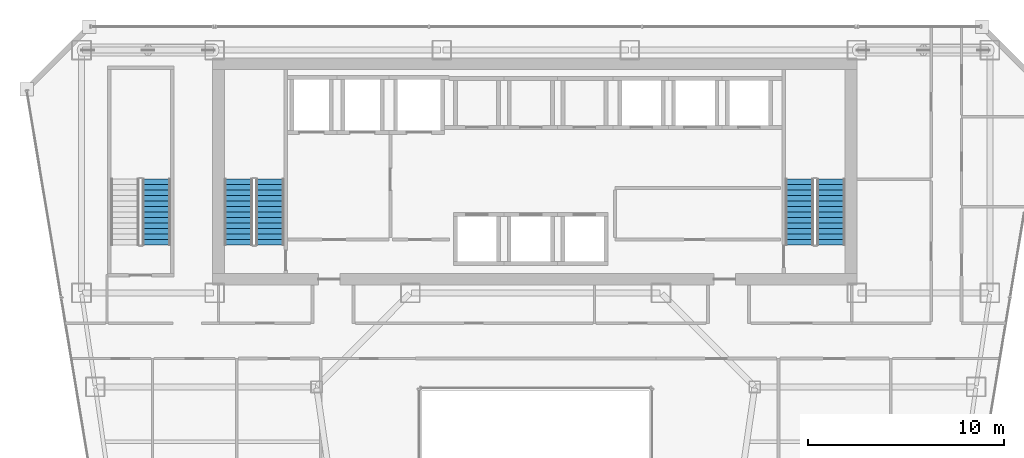
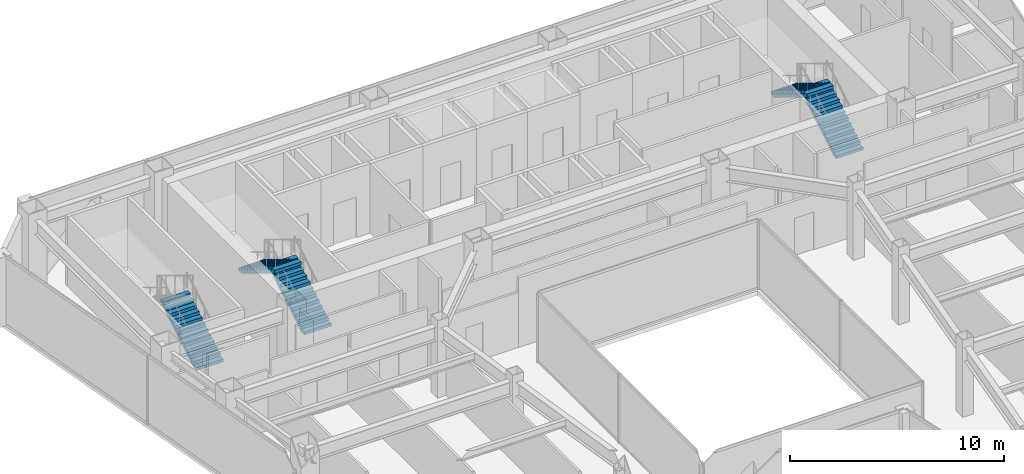
# One storey, part 33 of 36: 5 stair flights, 3 elements without a shape of their own.
"""IFC4 building model written with IfcOpenShell, lengths in metres."""

from ifc_helpers import new_model, si_unit, direction, frame, origin, place, context, subcontext, project, spatial, polyline, outline, extrude, material, type_object, element, aggregate, save


model = new_model("IFC4")

# Units and contexts
model_context = context("Model", 3, precision=1e-05, world=origin(), true_north=direction((0.0, 1.0)))
body_context = subcontext(model_context, "Body", "Model", "MODEL_VIEW")
ifc_project = project(units=[si_unit("LENGTHUNIT", "METRE"), si_unit("AREAUNIT", "SQUARE_METRE"), si_unit("VOLUMEUNIT", "CUBIC_METRE"), si_unit("PLANEANGLEUNIT", "RADIAN"), si_unit("MASSUNIT", "GRAM", prefix="KILO")], contexts=[model_context])

# Site, building, storey
site_placement = place(None, origin())
site = spatial("IfcSite", under=ifc_project, at=site_placement, CompositionType="ELEMENT")
building_placement = place(site_placement, origin())
building = spatial("IfcBuilding", under=site, at=building_placement, Name="Saevonmaru Cultural Tower", CompositionType="ELEMENT")
storey_placement = place(building_placement, frame((0.0, 0.0, 119.199951171875)))
storey = spatial("IfcBuildingStorey", under=building, at=storey_placement, Name="L25", CompositionType="ELEMENT", Elevation=119.199951171875)

# Stair, stair flights
ifc_material_1 = material(Name="Concrete C40/50", Category="concrete")
stair_type = type_object("IfcStairType", Name="STR-DOGLEG-RC", PredefinedType="HALF_TURN_STAIR", material=ifc_material_1)
stair_1_placement = place(storey_placement, origin())
stair_1 = element("IfcStair", 1, at=stair_1_placement, inside=storey, type_object=stair_type, Name="L25 Protected exit stair ST-1", PredefinedType="HALF_TURN_STAIR")
ifc_material_2 = material(Name="Precast concrete C40/50", Category="concrete")
stair_flight_type = type_object("IfcStairFlightType", Name="STF-PRECAST-180", PredefinedType="STRAIGHT", material=ifc_material_2)
stair_flight_1_placement = place(storey_placement, frame((16.425048828125, 44.85009765625, 0.0), z_axis=(0.0, 0.0, 1.0), x_axis=(0.0, 1.0, 0.0)))
stair_flight_1 = element("IfcStairFlight", 2, at=stair_flight_1_placement, type_object=stair_flight_type, Name="ST-1-L25 flight 1", NumberOfRisers=13, NumberOfTreads=12, PredefinedType="STRAIGHT", RiserHeight=0.169230769, TreadLength=0.28, context=body_context, shape_type="SweptSolid", body=[
    extrude(outline(polyline([(0.0, 0.0), (0.0, 0.169189453125), (0.280029296875, 0.169189453125), (0.280029296875, 0.33837890625), (0.56005859375, 0.33837890625), (0.56005859375, 0.5078125), (0.840087890625, 0.5078125), (0.840087890625, 0.677001953125), (1.1201171875, 0.677001953125), (1.1201171875, 0.84619140625), (1.39990234375, 0.84619140625), (1.39990234375, 1.015380859375), (1.679931640625, 1.015380859375), (1.679931640625, 1.1845703125), (1.9599609375, 1.1845703125), (1.9599609375, 1.353759765625), (2.239990234375, 1.353759765625), (2.239990234375, 1.523193359375), (2.52001953125, 1.523193359375), (2.52001953125, 1.6923828125), (2.800048828125, 1.6923828125), (2.800048828125, 1.861572265625), (3.080078125, 1.861572265625), (3.080078125, 2.03076171875), (3.360107421875, 2.03076171875), (3.360107421875, 2.199951171875), (3.360107421875, 1.855712890625), (0.289794921875, 0.0), (0.0, 0.0)])), frame((0.0, 0.72509765625, 0.0), z_axis=(0.0, -1.0, 0.0), x_axis=(1.0, 0.0, 0.0)), (0.0, 0.0, 1.0), 1.449951171875),
])
stair_flight_2_placement = place(storey_placement, frame((14.824951171875, 48.2099609375, 2.199951171875), z_axis=(0.0, 0.0, 1.0), x_axis=(0.0, -1.0, 0.0)))
stair_flight_2 = element("IfcStairFlight", 3, at=stair_flight_2_placement, type_object=stair_flight_type, Name="ST-1-L25 flight 2", NumberOfRisers=13, NumberOfTreads=12, PredefinedType="STRAIGHT", RiserHeight=0.169230769, TreadLength=0.28, context=body_context, shape_type="SweptSolid", body=[
    extrude(outline(polyline([(0.0, 0.0), (0.0, 0.169189453125), (0.280029296875, 0.169189453125), (0.280029296875, 0.33837890625), (0.56005859375, 0.33837890625), (0.56005859375, 0.5078125), (0.840087890625, 0.5078125), (0.840087890625, 0.677001953125), (1.1201171875, 0.677001953125), (1.1201171875, 0.84619140625), (1.39990234375, 0.84619140625), (1.39990234375, 1.015380859375), (1.679931640625, 1.015380859375), (1.679931640625, 1.1845703125), (1.9599609375, 1.1845703125), (1.9599609375, 1.353759765625), (2.239990234375, 1.353759765625), (2.239990234375, 1.523193359375), (2.52001953125, 1.523193359375), (2.52001953125, 1.6923828125), (2.800048828125, 1.6923828125), (2.800048828125, 1.861572265625), (3.080078125, 1.861572265625), (3.080078125, 2.03076171875), (3.360107421875, 2.03076171875), (3.360107421875, 2.199951171875), (3.360107421875, 1.855712890625), (0.289794921875, 0.0), (0.0, 0.0)])), frame((0.0, 0.72509765625, 0.0), z_axis=(0.0, -1.0, 0.0), x_axis=(1.0, 0.0, 0.0)), (0.0, 0.0, 1.0), 1.449951171875),
])
aggregate(stair_1, [stair_flight_1, stair_flight_2])

stair_2_placement = place(storey_placement, origin())
stair_2 = element("IfcStair", 4, at=stair_2_placement, inside=storey, type_object=stair_type, Name="L25 Protected exit stair ST-2", PredefinedType="HALF_TURN_STAIR")
stair_flight_3_placement = place(storey_placement, frame((45.074951171875, 44.85009765625, 0.0), z_axis=(0.0, 0.0, 1.0), x_axis=(0.0, 1.0, 0.0)))
stair_flight_3 = element("IfcStairFlight", 5, at=stair_flight_3_placement, type_object=stair_flight_type, Name="ST-2-L25 flight 1", NumberOfRisers=13, NumberOfTreads=12, PredefinedType="STRAIGHT", RiserHeight=0.169230769, TreadLength=0.28, context=body_context, shape_type="SweptSolid", body=[
    extrude(outline(polyline([(0.0, 0.0), (0.0, 0.169189453125), (0.280029296875, 0.169189453125), (0.280029296875, 0.33837890625), (0.56005859375, 0.33837890625), (0.56005859375, 0.5078125), (0.840087890625, 0.5078125), (0.840087890625, 0.677001953125), (1.1201171875, 0.677001953125), (1.1201171875, 0.84619140625), (1.39990234375, 0.84619140625), (1.39990234375, 1.015380859375), (1.679931640625, 1.015380859375), (1.679931640625, 1.1845703125), (1.9599609375, 1.1845703125), (1.9599609375, 1.353759765625), (2.239990234375, 1.353759765625), (2.239990234375, 1.523193359375), (2.52001953125, 1.523193359375), (2.52001953125, 1.6923828125), (2.800048828125, 1.6923828125), (2.800048828125, 1.861572265625), (3.080078125, 1.861572265625), (3.080078125, 2.03076171875), (3.360107421875, 2.03076171875), (3.360107421875, 2.199951171875), (3.360107421875, 1.855712890625), (0.289794921875, 0.0), (0.0, 0.0)])), frame((0.0, 0.72509765625, 0.0), z_axis=(0.0, -1.0, 0.0), x_axis=(1.0, 0.0, 0.0)), (0.0, 0.0, 1.0), 1.449951171875),
])
stair_flight_4_placement = place(storey_placement, frame((43.47509765625, 48.2099609375, 2.199951171875), z_axis=(0.0, 0.0, 1.0), x_axis=(0.0, -1.0, 0.0)))
stair_flight_4 = element("IfcStairFlight", 6, at=stair_flight_4_placement, type_object=stair_flight_type, Name="ST-2-L25 flight 2", NumberOfRisers=13, NumberOfTreads=12, PredefinedType="STRAIGHT", RiserHeight=0.169230769, TreadLength=0.28, context=body_context, shape_type="SweptSolid", body=[
    extrude(outline(polyline([(0.0, 0.0), (0.0, 0.169189453125), (0.280029296875, 0.169189453125), (0.280029296875, 0.33837890625), (0.56005859375, 0.33837890625), (0.56005859375, 0.5078125), (0.840087890625, 0.5078125), (0.840087890625, 0.677001953125), (1.1201171875, 0.677001953125), (1.1201171875, 0.84619140625), (1.39990234375, 0.84619140625), (1.39990234375, 1.015380859375), (1.679931640625, 1.015380859375), (1.679931640625, 1.1845703125), (1.9599609375, 1.1845703125), (1.9599609375, 1.353759765625), (2.239990234375, 1.353759765625), (2.239990234375, 1.523193359375), (2.52001953125, 1.523193359375), (2.52001953125, 1.6923828125), (2.800048828125, 1.6923828125), (2.800048828125, 1.861572265625), (3.080078125, 1.861572265625), (3.080078125, 2.03076171875), (3.360107421875, 2.03076171875), (3.360107421875, 2.199951171875), (3.360107421875, 1.855712890625), (0.289794921875, 0.0), (0.0, 0.0)])), frame((0.0, 0.72509765625, 0.0), z_axis=(0.0, -1.0, 0.0), x_axis=(1.0, 0.0, 0.0)), (0.0, 0.0, 1.0), 1.449951171875),
])
aggregate(stair_2, [stair_flight_3, stair_flight_4])

# Stair, stair flight
stair_3_placement = place(storey_placement, origin())
stair_3 = element("IfcStair", 7, at=stair_3_placement, inside=storey, type_object=stair_type, Name="L25 Protected exit stair ST-3", PredefinedType="HALF_TURN_STAIR")
stair_flight_5_placement = place(storey_placement, frame((10.625, 44.85009765625, 0.0), z_axis=(0.0, 0.0, 1.0), x_axis=(0.0, 1.0, 0.0)))
stair_flight_5 = element("IfcStairFlight", 8, at=stair_flight_5_placement, type_object=stair_flight_type, Name="ST-3-L25 flight 1", NumberOfRisers=13, NumberOfTreads=12, PredefinedType="STRAIGHT", RiserHeight=0.169230769, TreadLength=0.28, context=body_context, shape_type="SweptSolid", body=[
    extrude(outline(polyline([(0.0, 0.0), (0.0, 0.169189453125), (0.280029296875, 0.169189453125), (0.280029296875, 0.33837890625), (0.56005859375, 0.33837890625), (0.56005859375, 0.5078125), (0.840087890625, 0.5078125), (0.840087890625, 0.677001953125), (1.1201171875, 0.677001953125), (1.1201171875, 0.84619140625), (1.39990234375, 0.84619140625), (1.39990234375, 1.015380859375), (1.679931640625, 1.015380859375), (1.679931640625, 1.1845703125), (1.9599609375, 1.1845703125), (1.9599609375, 1.353759765625), (2.239990234375, 1.353759765625), (2.239990234375, 1.523193359375), (2.52001953125, 1.523193359375), (2.52001953125, 1.6923828125), (2.800048828125, 1.6923828125), (2.800048828125, 1.861572265625), (3.080078125, 1.861572265625), (3.080078125, 2.03076171875), (3.360107421875, 2.03076171875), (3.360107421875, 2.199951171875), (3.360107421875, 1.855712890625), (0.289794921875, 0.0), (0.0, 0.0)])), frame((0.0, 0.72509765625, 0.0), z_axis=(0.0, -1.0, 0.0), x_axis=(1.0, 0.0, 0.0)), (0.0, 0.0, 1.0), 1.449951171875),
])
aggregate(stair_3, [stair_flight_5])

save(model, "model.ifc")
